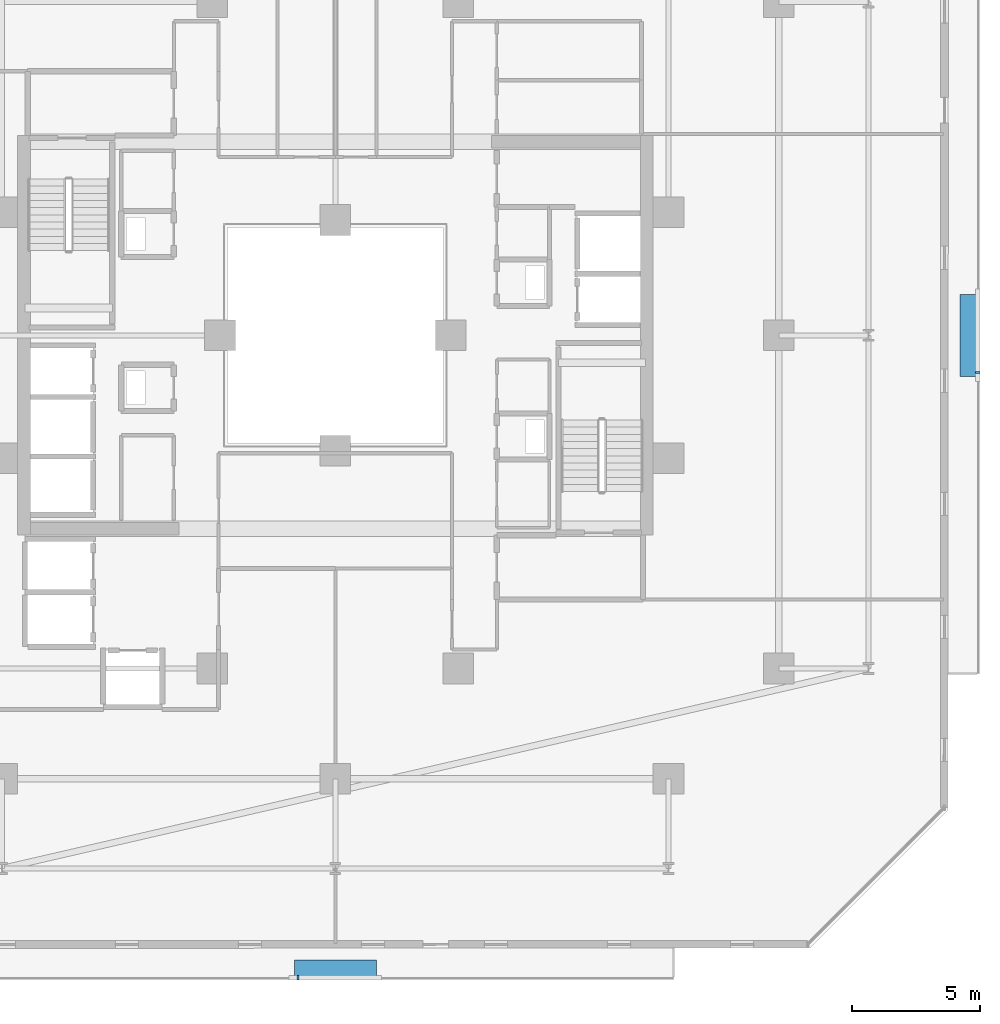
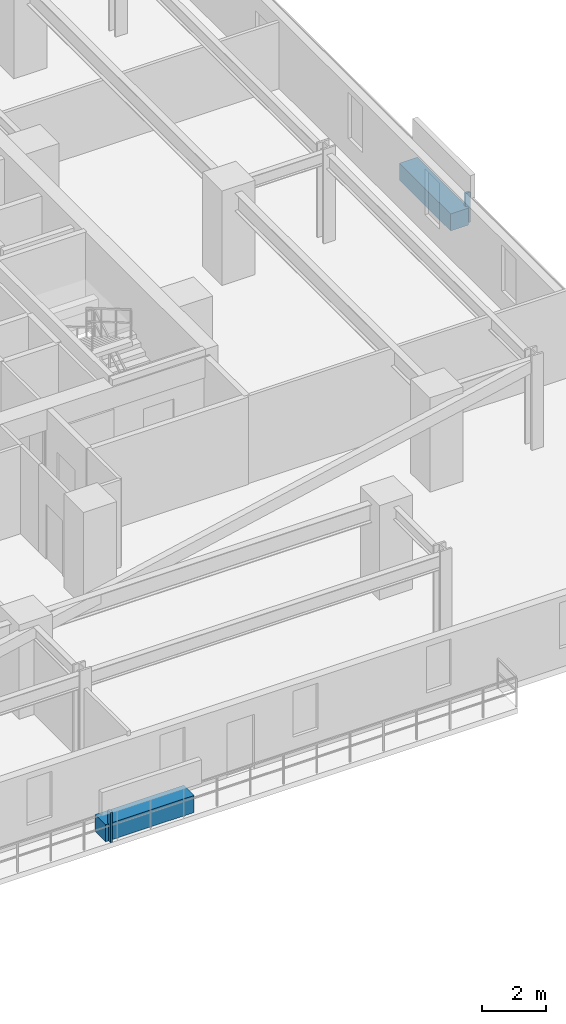
# One storey, part 28 of 33: 4 discrete accessories.
"""IFC4 building model written with IfcOpenShell, lengths in metres."""

from ifc_helpers import new_model, si_unit, direction, frame, origin, origin_2d, place, context, subcontext, project, spatial, rectangle, extrude, material, type_object, element, save


model = new_model("IFC4")

# Units and contexts
model_context = context("Model", 3, precision=1e-05, world=origin(), true_north=direction((0.0, 1.0)))
body_context = subcontext(model_context, "Body", "Model", "MODEL_VIEW")
ifc_project = project(units=[si_unit("LENGTHUNIT", "METRE"), si_unit("AREAUNIT", "SQUARE_METRE"), si_unit("VOLUMEUNIT", "CUBIC_METRE"), si_unit("PLANEANGLEUNIT", "RADIAN"), si_unit("MASSUNIT", "GRAM", prefix="KILO")], contexts=[model_context])

# Site, building, storey
site_placement = place(None, origin())
site = spatial("IfcSite", under=ifc_project, at=site_placement, CompositionType="ELEMENT")
building_placement = place(site_placement, origin())
building = spatial("IfcBuilding", under=site, at=building_placement, Name="Thornwick Lancets Civic Towers", CompositionType="ELEMENT")
storey_placement = place(building_placement, frame((0.0, 0.0, 130.5)))
storey = spatial("IfcBuildingStorey", under=building, at=storey_placement, Name="L34", CompositionType="ELEMENT", Elevation=130.5)

# Discrete accessories
ifc_material_1 = material(Name="Planted terracotta greenery planter", Category="masonry")
discrete_accessory_type_1 = type_object("IfcDiscreteAccessoryType", Name="ACC_PLANTER_BOX", PredefinedType="USERDEFINED", material=ifc_material_1)
discrete_accessory_1_placement = place(storey_placement, frame((88.5, 2.300048828125, 0.0), z_axis=(0.0, 0.0, 1.0), x_axis=(1.0, 0.0, 0.0)))
element("IfcDiscreteAccessory", 1, at=discrete_accessory_1_placement, inside=storey, type_object=discrete_accessory_type_1, Name="L34 Tower B Balcony Greenery Planter S", ObjectType="PLANTER", PredefinedType="USERDEFINED", context=body_context, shape_type="SweptSolid", body=[
    extrude(rectangle(XDim=3.199951171875, YDim=0.64990234375, at=origin_2d()), origin(), (0.0, 0.0, 1.0), 0.64990234375),
])
discrete_accessory_2_placement = place(storey_placement, frame((113.199951171875, 27.0, 0.0), z_axis=(0.0, 0.0, 1.0), x_axis=(1.0, 0.0, 0.0)))
element("IfcDiscreteAccessory", 2, at=discrete_accessory_2_placement, inside=storey, type_object=discrete_accessory_type_1, Name="L34 Tower B Balcony Greenery Planter E", ObjectType="PLANTER", PredefinedType="USERDEFINED", context=body_context, shape_type="SweptSolid", body=[
    extrude(rectangle(XDim=0.64990234375, YDim=3.199951171875, at=origin_2d()), origin(), (0.0, 0.0, 1.0), 0.64990234375),
])
ifc_material_2 = material(Name="Stainless steel S355", Category="steel")
discrete_accessory_type_2 = type_object("IfcDiscreteAccessoryType", Name="ACC_SCREEN_BRACKET", PredefinedType="BRACKET", material=ifc_material_2)
for number, where, z_axis, x_axis, name in (
    (3, (87.050048828125, 1.93994140625, 0.0), (0.0, 0.0, 1.0), (1.0, 0.0, 0.0), "L34 Tower B Balcony Screen Stanchion Bracket S-1"),
    (4, (113.56005859375, 25.550048828125, 0.0), (0.0, 0.0, 1.0), (0.0, 1.0, 0.0), "L34 Tower B Balcony Screen Stanchion Bracket E-1"),
):
    element("IfcDiscreteAccessory", number, at=place(storey_placement, frame(where, z_axis=z_axis, x_axis=x_axis)), inside=storey, type_object=discrete_accessory_type_2, Name=name, PredefinedType="BRACKET", context=body_context, shape_type="SweptSolid", body=[
        extrude(rectangle(XDim=0.080078125, YDim=0.179931640625, at=origin_2d()), origin(), (0.0, 0.0, 1.0), 1.14990234375),
    ])

save(model, "model.ifc")
